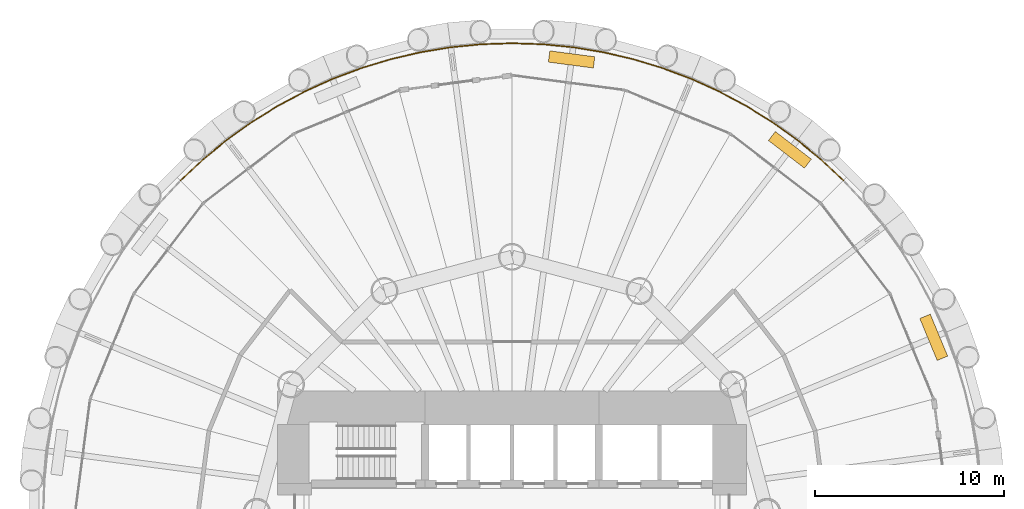
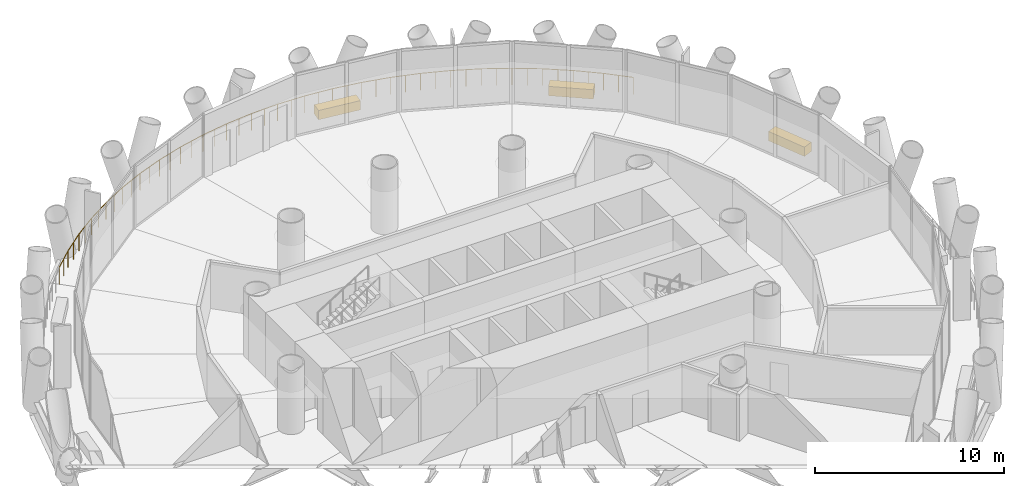
# One storey, part 14 of 14: 3 coverings, 1 railing.
"""IFC4 building model written with IfcOpenShell, lengths in metres."""

from ifc_helpers import new_model, si_unit, direction, frame, origin, origin_2d, place, context, subcontext, project, spatial, rectangle, circle, extrude, material, layer, layer_set, type_object, element, save


model = new_model("IFC4")

# Units and contexts
model_context = context("Model", 3, precision=1e-05, world=origin(), true_north=direction((0.0, 1.0)))
body_context = subcontext(model_context, "Body", "Model", "MODEL_VIEW")
ifc_project = project(units=[si_unit("LENGTHUNIT", "METRE"), si_unit("AREAUNIT", "SQUARE_METRE"), si_unit("VOLUMEUNIT", "CUBIC_METRE"), si_unit("PLANEANGLEUNIT", "RADIAN"), si_unit("MASSUNIT", "GRAM", prefix="KILO")], contexts=[model_context])

# Site, building, storey
site_placement = place(None, origin())
site = spatial("IfcSite", under=ifc_project, at=site_placement, CompositionType="ELEMENT")
building_placement = place(site_placement, origin())
building = spatial("IfcBuilding", under=site, at=building_placement, Name="Qaws Media Tower", CompositionType="ELEMENT")
storey_placement = place(building_placement, frame((0.0, 0.0, 84.800048828125)))
storey = spatial("IfcBuildingStorey", under=building, at=storey_placement, Name="L18", CompositionType="ELEMENT", Elevation=84.800048828125)

# Railing
ifc_material_1 = material(Name="Stainless steel and glass guard", Category="steel")
railing_type = type_object("IfcRailingType", Name="Balcony guard 1100", PredefinedType="GUARDRAIL", material=ifc_material_1)
railing_placement = place(storey_placement, frame((77.5361328125, 67.5361328125, 0.0)))
element("IfcRailing", 1, at=railing_placement, inside=storey, type_object=railing_type, Name="GR1 balcony guard L18-1", PredefinedType="GUARDRAIL", context=body_context, shape_type="SweptSolid", body=[
    extrude(circle(Radius=0.02392578125, at=origin_2d()), frame((0.0, 0.0, 1.076171875), z_axis=(-0.729823335563, 0.683635794022, 0.0), x_axis=(-0.683635794022, -0.729823335563, 0.0)), (0.0, 0.0, 1.0), 1.622802734375),
    extrude(circle(Radius=0.02392578125, at=origin_2d()), frame((-1.184326171875, 1.109375, 1.076171875), z_axis=(-0.773044998385, 0.634351188595, 0.0), x_axis=(-0.634351188595, -0.773044998385, 0.0)), (0.0, 0.0, 1.0), 1.623046875),
    extrude(circle(Radius=0.02392578125, at=origin_2d()), frame((-2.43896484375, 2.138916015625, 1.076171875), z_axis=(-0.812827812024, 0.582504032604, 0.0), x_axis=(-0.582504032604, -0.812827812024, 0.0)), (0.0, 0.0, 1.0), 1.622802734375),
    extrude(circle(Radius=0.02392578125, at=origin_2d()), frame((-3.758056640625, 3.084228515625, 1.076171875), z_axis=(-0.849154052867, 0.528145239967, 0.0), x_axis=(-0.528145239967, -0.849154052867, 0.0)), (0.0, 0.0, 1.0), 1.623046875),
    extrude(circle(Radius=0.02392578125, at=origin_2d()), frame((-5.13623046875, 3.94140625, 1.076171875), z_axis=(-0.881940295508, 0.471361130301, 0.0), x_axis=(-0.471361130301, -0.881940295508, 0.0)), (0.0, 0.0, 1.0), 1.622802734375),
    extrude(circle(Radius=0.02392578125, at=origin_2d()), frame((-6.5673828125, 4.706298828125, 1.076171875), z_axis=(-0.910891239734, 0.412646518677, 0.0), x_axis=(-0.412646518677, -0.910891239734, 0.0)), (0.0, 0.0, 1.0), 1.622802734375),
    extrude(circle(Radius=0.02392578125, at=origin_2d()), frame((-8.045654296875, 5.3759765625, 1.076171875), z_axis=(-0.935877089003, 0.352326658486, 0.0), x_axis=(-0.352326658486, -0.935877089003, 0.0)), (0.0, 0.0, 1.0), 1.622802734375),
    extrude(circle(Radius=0.02392578125, at=origin_2d()), frame((-9.564453125, 5.94775390625, 1.076171875), z_axis=(-0.956923127669, 0.290341398585, 0.0), x_axis=(-0.290341398585, -0.956923127669, 0.0)), (0.0, 0.0, 1.0), 1.622802734375),
    extrude(circle(Radius=0.02392578125, at=origin_2d()), frame((-11.117431640625, 6.4189453125, 1.076171875), z_axis=(-0.973894444351, 0.227001346389, 0.0), x_axis=(-0.227001346389, -0.973894444351, 0.0)), (0.0, 0.0, 1.0), 1.623046875),
    extrude(circle(Radius=0.02392578125, at=origin_2d()), frame((-12.697998046875, 6.787353515625, 1.076171875), z_axis=(-0.986636807112, 0.162934989647, 0.0), x_axis=(-0.162934989647, -0.986636807112, 0.0)), (0.0, 0.0, 1.0), 1.622802734375),
    extrude(circle(Radius=0.02392578125, at=origin_2d()), frame((-14.299072265625, 7.0517578125, 1.076171875), z_axis=(-0.995192364026, 0.097939565983, 0.0), x_axis=(-0.097939565983, -0.995192364026, 0.0)), (0.0, 0.0, 1.0), 1.622802734375),
    extrude(circle(Radius=0.02392578125, at=origin_2d()), frame((-15.9140625, 7.210693359375, 1.076171875), z_axis=(-0.999462135048, 0.032793911114, 0.0), x_axis=(-0.032793911114, -0.999462135048, 0.0)), (0.0, 0.0, 1.0), 1.623046875),
    extrude(circle(Radius=0.02392578125, at=origin_2d()), frame((-17.5361328125, 7.263916015625, 1.076171875), z_axis=(-0.999462135048, -0.032793911114, 0.0), x_axis=(0.032793911114, -0.999462135048, 0.0)), (0.0, 0.0, 1.0), 1.623046875),
    extrude(circle(Radius=0.02392578125, at=origin_2d()), frame((-19.158203125, 7.210693359375, 1.076171875), z_axis=(-0.995192364026, -0.097939565983, 0.0), x_axis=(0.097939565983, -0.995192364026, 0.0)), (0.0, 0.0, 1.0), 1.622802734375),
    extrude(circle(Radius=0.02392578125, at=origin_2d()), frame((-20.773193359375, 7.0517578125, 1.076171875), z_axis=(-0.986636807112, -0.162934989647, 0.0), x_axis=(0.162934989647, -0.986636807112, 0.0)), (0.0, 0.0, 1.0), 1.622802734375),
    extrude(circle(Radius=0.02392578125, at=origin_2d()), frame((-22.374267578125, 6.787353515625, 1.076171875), z_axis=(-0.973894444351, -0.227001346389, 0.0), x_axis=(0.227001346389, -0.973894444351, 0.0)), (0.0, 0.0, 1.0), 1.623046875),
    extrude(circle(Radius=0.02392578125, at=origin_2d()), frame((-23.954833984375, 6.4189453125, 1.076171875), z_axis=(-0.956923127669, -0.290341398585, 0.0), x_axis=(0.290341398585, -0.956923127669, 0.0)), (0.0, 0.0, 1.0), 1.622802734375),
    extrude(circle(Radius=0.02392578125, at=origin_2d()), frame((-25.5078125, 5.94775390625, 1.076171875), z_axis=(-0.935877089003, -0.352326658486, 0.0), x_axis=(0.352326658486, -0.935877089003, 0.0)), (0.0, 0.0, 1.0), 1.622802734375),
    extrude(circle(Radius=0.02392578125, at=origin_2d()), frame((-27.026611328125, 5.3759765625, 1.076171875), z_axis=(-0.910891239734, -0.412646518677, 0.0), x_axis=(0.412646518677, -0.910891239734, 0.0)), (0.0, 0.0, 1.0), 1.622802734375),
    extrude(circle(Radius=0.02392578125, at=origin_2d()), frame((-28.5048828125, 4.706298828125, 1.076171875), z_axis=(-0.881940295508, -0.471361130301, 0.0), x_axis=(0.471361130301, -0.881940295508, 0.0)), (0.0, 0.0, 1.0), 1.622802734375),
    extrude(circle(Radius=0.02392578125, at=origin_2d()), frame((-29.93603515625, 3.94140625, 1.076171875), z_axis=(-0.849154052867, -0.528145239967, 0.0), x_axis=(0.528145239967, -0.849154052867, 0.0)), (0.0, 0.0, 1.0), 1.623046875),
    extrude(circle(Radius=0.02392578125, at=origin_2d()), frame((-31.314208984375, 3.084228515625, 1.076171875), z_axis=(-0.812827812024, -0.582504032604, 0.0), x_axis=(0.582504032604, -0.812827812024, 0.0)), (0.0, 0.0, 1.0), 1.622802734375),
    extrude(circle(Radius=0.02392578125, at=origin_2d()), frame((-32.63330078125, 2.138916015625, 1.076171875), z_axis=(-0.773044998385, -0.634351188595, 0.0), x_axis=(0.634351188595, -0.773044998385, 0.0)), (0.0, 0.0, 1.0), 1.623046875),
    extrude(circle(Radius=0.02392578125, at=origin_2d()), frame((-33.887939453125, 1.109375, 1.076171875), z_axis=(-0.729823335563, -0.683635794022, 0.0), x_axis=(0.683635794022, -0.729823335563, 0.0)), (0.0, 0.0, 1.0), 1.622802734375),
    extrude(circle(Radius=0.02099609375, at=origin_2d()), origin(), (0.0, 0.0, 1.0), 1.052001953125),
    extrude(circle(Radius=0.02099609375, at=origin_2d()), frame((-0.59228515625, 0.5546875, 0.0)), (0.0, 0.0, 1.0), 1.052001953125),
    extrude(circle(Radius=0.02099609375, at=origin_2d()), frame((-1.184326171875, 1.109375, 0.0)), (0.0, 0.0, 1.0), 1.052001953125),
    extrude(circle(Radius=0.02099609375, at=origin_2d()), frame((-1.8115234375, 1.6240234375, 0.0)), (0.0, 0.0, 1.0), 1.052001953125),
    extrude(circle(Radius=0.02099609375, at=origin_2d()), frame((-2.43896484375, 2.138916015625, 0.0)), (0.0, 0.0, 1.0), 1.052001953125),
    extrude(circle(Radius=0.02099609375, at=origin_2d()), frame((-3.0986328125, 2.611572265625, 0.0)), (0.0, 0.0, 1.0), 1.052001953125),
    extrude(circle(Radius=0.02099609375, at=origin_2d()), frame((-3.758056640625, 3.084228515625, 0.0)), (0.0, 0.0, 1.0), 1.052001953125),
    extrude(circle(Radius=0.02099609375, at=origin_2d()), frame((-4.447265625, 3.5126953125, 0.0)), (0.0, 0.0, 1.0), 1.052001953125),
    extrude(circle(Radius=0.02099609375, at=origin_2d()), frame((-5.13623046875, 3.94140625, 0.0)), (0.0, 0.0, 1.0), 1.052001953125),
    extrude(circle(Radius=0.02099609375, at=origin_2d()), frame((-5.851806640625, 4.32373046875, 0.0)), (0.0, 0.0, 1.0), 1.052001953125),
    extrude(circle(Radius=0.02099609375, at=origin_2d()), frame((-6.5673828125, 4.706298828125, 0.0)), (0.0, 0.0, 1.0), 1.052001953125),
    extrude(circle(Radius=0.02099609375, at=origin_2d()), frame((-7.306640625, 5.041015625, 0.0)), (0.0, 0.0, 1.0), 1.052001953125),
    extrude(circle(Radius=0.02099609375, at=origin_2d()), frame((-8.045654296875, 5.3759765625, 0.0)), (0.0, 0.0, 1.0), 1.052001953125),
    extrude(circle(Radius=0.02099609375, at=origin_2d()), frame((-8.80517578125, 5.661865234375, 0.0)), (0.0, 0.0, 1.0), 1.052001953125),
    extrude(circle(Radius=0.02099609375, at=origin_2d()), frame((-9.564453125, 5.94775390625, 0.0)), (0.0, 0.0, 1.0), 1.052001953125),
    extrude(circle(Radius=0.02099609375, at=origin_2d()), frame((-10.3408203125, 6.183349609375, 0.0)), (0.0, 0.0, 1.0), 1.052001953125),
    extrude(circle(Radius=0.02099609375, at=origin_2d()), frame((-11.117431640625, 6.4189453125, 0.0)), (0.0, 0.0, 1.0), 1.052001953125),
    extrude(circle(Radius=0.02099609375, at=origin_2d()), frame((-11.90771484375, 6.60302734375, 0.0)), (0.0, 0.0, 1.0), 1.052001953125),
    extrude(circle(Radius=0.02099609375, at=origin_2d()), frame((-12.697998046875, 6.787353515625, 0.0)), (0.0, 0.0, 1.0), 1.052001953125),
    extrude(circle(Radius=0.02099609375, at=origin_2d()), frame((-13.49853515625, 6.91943359375, 0.0)), (0.0, 0.0, 1.0), 1.052001953125),
    extrude(circle(Radius=0.02099609375, at=origin_2d()), frame((-14.299072265625, 7.0517578125, 0.0)), (0.0, 0.0, 1.0), 1.052001953125),
    extrude(circle(Radius=0.02099609375, at=origin_2d()), frame((-15.1064453125, 7.13134765625, 0.0)), (0.0, 0.0, 1.0), 1.052001953125),
    extrude(circle(Radius=0.02099609375, at=origin_2d()), frame((-15.9140625, 7.210693359375, 0.0)), (0.0, 0.0, 1.0), 1.052001953125),
    extrude(circle(Radius=0.02099609375, at=origin_2d()), frame((-16.72509765625, 7.2373046875, 0.0)), (0.0, 0.0, 1.0), 1.052001953125),
    extrude(circle(Radius=0.02099609375, at=origin_2d()), frame((-17.5361328125, 7.263916015625, 0.0)), (0.0, 0.0, 1.0), 1.052001953125),
    extrude(circle(Radius=0.02099609375, at=origin_2d()), frame((-18.34716796875, 7.2373046875, 0.0)), (0.0, 0.0, 1.0), 1.052001953125),
    extrude(circle(Radius=0.02099609375, at=origin_2d()), frame((-19.158203125, 7.210693359375, 0.0)), (0.0, 0.0, 1.0), 1.052001953125),
    extrude(circle(Radius=0.02099609375, at=origin_2d()), frame((-19.9658203125, 7.13134765625, 0.0)), (0.0, 0.0, 1.0), 1.052001953125),
    extrude(circle(Radius=0.02099609375, at=origin_2d()), frame((-20.773193359375, 7.0517578125, 0.0)), (0.0, 0.0, 1.0), 1.052001953125),
    extrude(circle(Radius=0.02099609375, at=origin_2d()), frame((-21.57373046875, 6.91943359375, 0.0)), (0.0, 0.0, 1.0), 1.052001953125),
    extrude(circle(Radius=0.02099609375, at=origin_2d()), frame((-22.374267578125, 6.787353515625, 0.0)), (0.0, 0.0, 1.0), 1.052001953125),
    extrude(circle(Radius=0.02099609375, at=origin_2d()), frame((-23.16455078125, 6.60302734375, 0.0)), (0.0, 0.0, 1.0), 1.052001953125),
    extrude(circle(Radius=0.02099609375, at=origin_2d()), frame((-23.954833984375, 6.4189453125, 0.0)), (0.0, 0.0, 1.0), 1.052001953125),
    extrude(circle(Radius=0.02099609375, at=origin_2d()), frame((-24.7314453125, 6.183349609375, 0.0)), (0.0, 0.0, 1.0), 1.052001953125),
    extrude(circle(Radius=0.02099609375, at=origin_2d()), frame((-25.5078125, 5.94775390625, 0.0)), (0.0, 0.0, 1.0), 1.052001953125),
    extrude(circle(Radius=0.02099609375, at=origin_2d()), frame((-26.26708984375, 5.661865234375, 0.0)), (0.0, 0.0, 1.0), 1.052001953125),
    extrude(circle(Radius=0.02099609375, at=origin_2d()), frame((-27.026611328125, 5.3759765625, 0.0)), (0.0, 0.0, 1.0), 1.052001953125),
    extrude(circle(Radius=0.02099609375, at=origin_2d()), frame((-27.765625, 5.041015625, 0.0)), (0.0, 0.0, 1.0), 1.052001953125),
    extrude(circle(Radius=0.02099609375, at=origin_2d()), frame((-28.5048828125, 4.706298828125, 0.0)), (0.0, 0.0, 1.0), 1.052001953125),
    extrude(circle(Radius=0.02099609375, at=origin_2d()), frame((-29.220458984375, 4.32373046875, 0.0)), (0.0, 0.0, 1.0), 1.052001953125),
    extrude(circle(Radius=0.02099609375, at=origin_2d()), frame((-29.93603515625, 3.94140625, 0.0)), (0.0, 0.0, 1.0), 1.052001953125),
    extrude(circle(Radius=0.02099609375, at=origin_2d()), frame((-30.625, 3.5126953125, 0.0)), (0.0, 0.0, 1.0), 1.052001953125),
    extrude(circle(Radius=0.02099609375, at=origin_2d()), frame((-31.314208984375, 3.084228515625, 0.0)), (0.0, 0.0, 1.0), 1.052001953125),
    extrude(circle(Radius=0.02099609375, at=origin_2d()), frame((-31.9736328125, 2.611572265625, 0.0)), (0.0, 0.0, 1.0), 1.052001953125),
    extrude(circle(Radius=0.02099609375, at=origin_2d()), frame((-32.63330078125, 2.138916015625, 0.0)), (0.0, 0.0, 1.0), 1.052001953125),
    extrude(circle(Radius=0.02099609375, at=origin_2d()), frame((-33.2607421875, 1.6240234375, 0.0)), (0.0, 0.0, 1.0), 1.052001953125),
    extrude(circle(Radius=0.02099609375, at=origin_2d()), frame((-33.887939453125, 1.109375, 0.0)), (0.0, 0.0, 1.0), 1.052001953125),
    extrude(circle(Radius=0.02099609375, at=origin_2d()), frame((-34.47998046875, 0.5546875, 0.0)), (0.0, 0.0, 1.0), 1.052001953125),
    extrude(circle(Radius=0.02099609375, at=origin_2d()), frame((-35.072265625, 0.0, 0.0)), (0.0, 0.0, 1.0), 1.052001953125),
])

# Coverings
ifc_material_2 = material(Name="Precast concrete planter with trailing planting", Category="concrete")
ifc_layer = layer(ifc_material_2, 0.60009765625)
ifc_layer_set = layer_set([ifc_layer], Name="Planter 2400x600")
covering_type = type_object("IfcCoveringType", Name="Planter 2400x600", PredefinedType="USERDEFINED", material=ifc_layer_set)
for number, where, z_axis, x_axis, name in (
    (2, (82.311767578125, 59.24169921875, 0.0), (0.0, 0.0, 1.0), (-0.382683432365, 0.923879532511, 0.0), "PL1 balcony planter L18-01"),
    (3, (74.70166015625, 69.159423828125, 0.0), (0.0, 0.0, 1.0), (-0.793353340291, 0.608761429009, 0.0), "PL1 balcony planter L18-02"),
    (4, (63.152099609375, 73.943359375, 0.0), (0.0, 0.0, 1.0), (-0.991444861374, 0.13052619222, 0.0), "PL1 balcony planter L18-03"),
):
    element("IfcCovering", number, at=place(storey_placement, frame(where, z_axis=z_axis, x_axis=x_axis)), inside=storey, type_object=covering_type, Name=name, ObjectType="PLANTER", PredefinedType="USERDEFINED", context=body_context, shape_type="SweptSolid", body=[
        extrude(rectangle(XDim=2.39990234375, YDim=0.60009765625, at=origin_2d()), origin(), (0.0, 0.0, 1.0), 0.60009765625),
    ])

save(model, "model.ifc")
